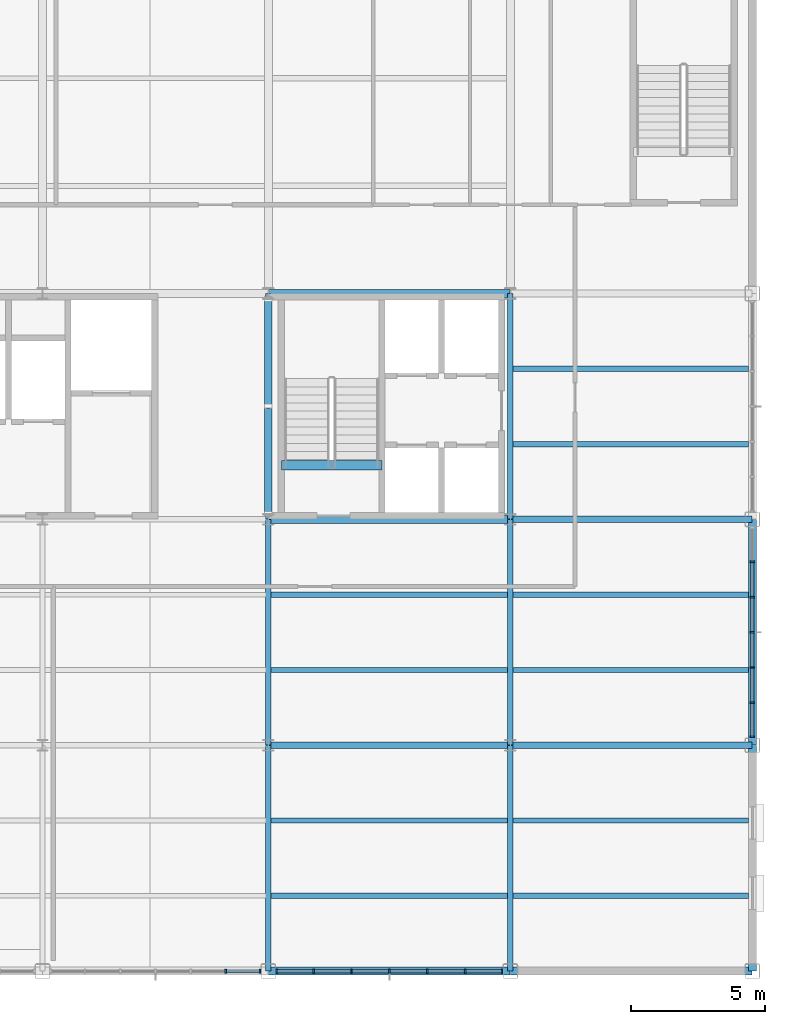
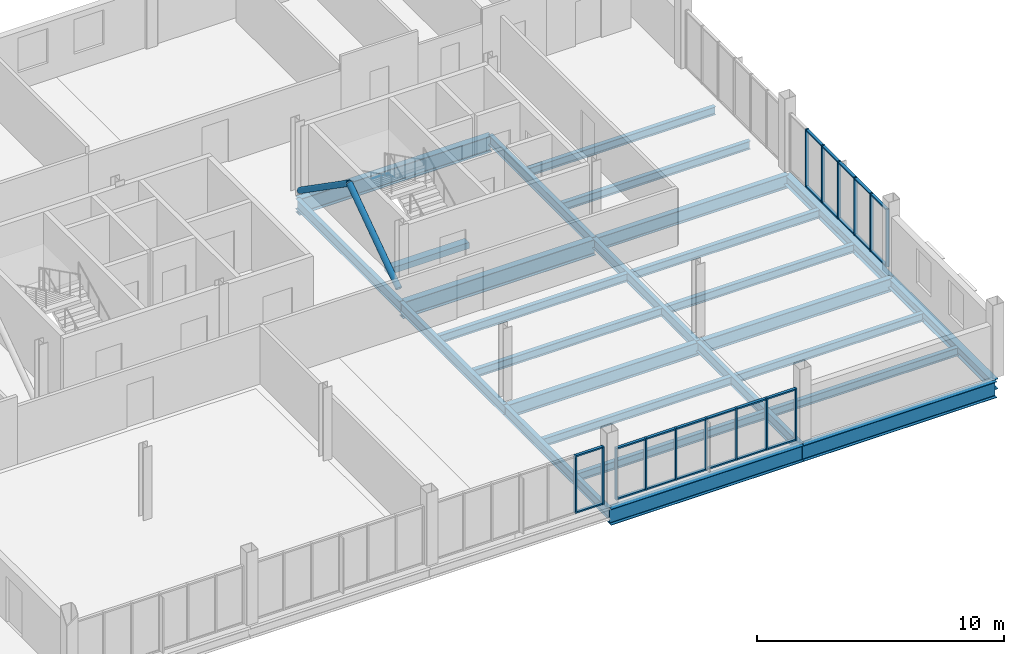
# One storey, part 7 of 18: 41 members, 26 beams, 3 elements without a shape of their own.
"""IFC4 building model written with IfcOpenShell, lengths in metres."""

from ifc_helpers import new_model, si_unit, direction, frame, origin, origin_2d, place, context, subcontext, project, spatial, rectangle, hollow_circle, i_section, extrude, material, layer, layer_set, material_profile, profile_set, type_object, element, aggregate, save


model = new_model("IFC4")

# Units and contexts
model_context = context("Model", 3, precision=1e-05, world=origin(), true_north=direction((0.0, 1.0)))
body_context = subcontext(model_context, "Body", "Model", "MODEL_VIEW")
ifc_project = project(units=[si_unit("LENGTHUNIT", "METRE"), si_unit("AREAUNIT", "SQUARE_METRE"), si_unit("VOLUMEUNIT", "CUBIC_METRE"), si_unit("PLANEANGLEUNIT", "RADIAN"), si_unit("MASSUNIT", "GRAM", prefix="KILO")], contexts=[model_context])

# Site, building, storey
site_placement = place(None, origin())
site = spatial("IfcSite", under=ifc_project, at=site_placement, CompositionType="ELEMENT")
building_placement = place(site_placement, origin())
building = spatial("IfcBuilding", under=site, at=building_placement, Name="Yukiwa Park Conservatory and Herbarium", CompositionType="ELEMENT")
storey_placement = place(building_placement, frame((0.0, 0.0, 21.0)))
storey = spatial("IfcBuildingStorey", under=building, at=storey_placement, Name="L05", CompositionType="ELEMENT", Elevation=21.0)

# Beams
ifc_material_1 = material(Name="Steel Q355D", Category="steel")
ifc_material_profile_1 = material_profile(ifc_material_1, i_section(OverallWidth=0.199951171875, OverallDepth=0.5, WebThickness=0.010009765625, FlangeThickness=0.01611328125, FilletRadius=0.02001953125, at=origin_2d()), Name="HN 500x200x10x16")
ifc_profile_set_1 = profile_set([ifc_material_profile_1], Name="Steel Q355D")
beam_type_1 = type_object("IfcBeamType", Name="BM-GRD-HN500", PredefinedType="BEAM", material=ifc_profile_set_1)
for number, where, z_axis, x_axis, name in (
    (1, (150.0, 78.006103515625, -0.550048828125), (0.0, 1.0, 0.0), (-1.0, 0.0, 0.0), "L05 grid girder Y-43"),
    (2, (150.0, 86.406005859375, -0.550048828125), (0.0, 1.0, 0.0), (-1.0, 0.0, 0.0), "L05 grid girder Y-44"),
):
    element("IfcBeam", number, at=place(storey_placement, frame(where, z_axis=z_axis, x_axis=x_axis)), inside=storey, type_object=beam_type_1, Name=name, PredefinedType="BEAM", context=body_context, shape_type="SweptSolid", body=[
        extrude(i_section(OverallWidth=0.199951171875, OverallDepth=0.5, WebThickness=0.010009765625, FlangeThickness=0.01611328125, FilletRadius=0.02001953125, at=origin_2d()), origin(), (0.0, 0.0, 1.0), 8.387939453125),
    ])
beam_1_placement = place(storey_placement, frame((150.0, 94.805908203125, -0.550048828125), z_axis=(0.0, 1.0, 0.0), x_axis=(-1.0, 0.0, 0.0)))
element("IfcBeam", 3, at=beam_1_placement, inside=storey, type_object=beam_type_1, Name="L05 grid girder Y-45", PredefinedType="BEAM", context=body_context, shape_type="SweptSolid", body=[
    extrude(i_section(OverallWidth=0.199951171875, OverallDepth=0.5, WebThickness=0.010009765625, FlangeThickness=0.01611328125, FilletRadius=0.02001953125, at=origin_2d()), origin(), (0.0, 0.0, 1.0), 8.38818359375),
])
for number, where, z_axis, x_axis, name in (
    (4, (159.0, 78.006103515625, -0.550048828125), (0.0, 1.0, 0.0), (-1.0, 0.0, 0.0), "L05 grid girder Y-47"),
    (5, (159.0, 86.406005859375, -0.550048828125), (0.0, 1.0, 0.0), (-1.0, 0.0, 0.0), "L05 grid girder Y-48"),
):
    element("IfcBeam", number, at=place(storey_placement, frame(where, z_axis=z_axis, x_axis=x_axis)), inside=storey, type_object=beam_type_1, Name=name, PredefinedType="BEAM", context=body_context, shape_type="SweptSolid", body=[
        extrude(i_section(OverallWidth=0.199951171875, OverallDepth=0.5, WebThickness=0.010009765625, FlangeThickness=0.01611328125, FilletRadius=0.02001953125, at=origin_2d()), origin(), (0.0, 0.0, 1.0), 8.387939453125),
    ])
beam_2_placement = place(storey_placement, frame((159.0, 94.805908203125, -0.550048828125), z_axis=(0.0, 1.0, 0.0), x_axis=(-1.0, 0.0, 0.0)))
element("IfcBeam", 6, at=beam_2_placement, inside=storey, type_object=beam_type_1, Name="L05 grid girder Y-49", PredefinedType="BEAM", context=body_context, shape_type="SweptSolid", body=[
    extrude(i_section(OverallWidth=0.199951171875, OverallDepth=0.5, WebThickness=0.010009765625, FlangeThickness=0.01611328125, FilletRadius=0.02001953125, at=origin_2d()), origin(), (0.0, 0.0, 1.0), 8.38818359375),
])
ifc_material_2 = material(Name="Steel Q355D", Category="steel")
ifc_material_profile_2 = material_profile(ifc_material_2, i_section(OverallWidth=0.25, OverallDepth=0.64990234375, WebThickness=0.011962890625, FlangeThickness=0.02001953125, FilletRadius=0.02392578125, at=origin_2d()), Name="HN 650x250x12x20")
ifc_profile_set_2 = profile_set([ifc_material_profile_2], Name="Steel Q355D")
beam_type_2 = type_object("IfcBeamType", Name="BM-GRD-HN650", PredefinedType="BEAM", material=ifc_profile_set_2)
for number, where, z_axis, x_axis, name in (
    (7, (150.006103515625, 86.39990234375, -0.625), (1.0, 0.0, 0.0), (0.0, 1.0, 0.0), "L05 grid beam X-10"),
    (8, (159.006103515625, 86.39990234375, -0.625), (1.0, 0.0, 0.0), (0.0, 1.0, 0.0), "L05 grid beam X-11"),
    (9, (159.006103515625, 94.800048828125, -0.625), (1.0, 0.0, 0.0), (0.0, 1.0, 0.0), "L05 grid beam X-16"),
):
    element("IfcBeam", number, at=place(storey_placement, frame(where, z_axis=z_axis, x_axis=x_axis)), inside=storey, type_object=beam_type_2, Name=name, PredefinedType="BEAM", context=body_context, shape_type="SweptSolid", body=[
        extrude(i_section(OverallWidth=0.25, OverallDepth=0.64990234375, WebThickness=0.011962890625, FlangeThickness=0.02001953125, FilletRadius=0.02392578125, at=origin_2d()), origin(), (0.0, 0.0, 1.0), 8.98779296875),
    ])
ifc_material_3 = material(Name="Steel Q355D", Category="steel")
ifc_material_profile_3 = material_profile(ifc_material_3, i_section(OverallWidth=0.199951171875, OverallDepth=0.39990234375, WebThickness=0.008056640625, FlangeThickness=0.012939453125, FilletRadius=0.01611328125, at=origin_2d()), Name="HN 400x200x8x13")
ifc_profile_set_3 = profile_set([ifc_material_profile_3], Name="Steel Q355D")
beam_type_3 = type_object("IfcBeamType", Name="BM-JST-HN400", PredefinedType="JOIST", material=ifc_profile_set_3)
for number, where, z_axis, x_axis, name in (
    (10, (150.095947265625, 80.800048828125, -0.5), (1.0, 0.0, 0.0), (0.0, 1.0, 0.0), "L05 composite floor joist 25"),
    (11, (150.095947265625, 83.60009765625, -0.5), (1.0, 0.0, 0.0), (0.0, 1.0, 0.0), "L05 composite floor joist 26"),
    (12, (150.095947265625, 89.199951171875, -0.5), (1.0, 0.0, 0.0), (0.0, 1.0, 0.0), "L05 composite floor joist 27"),
    (13, (150.095947265625, 92.0, -0.5), (1.0, 0.0, 0.0), (0.0, 1.0, 0.0), "L05 composite floor joist 28"),
):
    element("IfcBeam", number, at=place(storey_placement, frame(where, z_axis=z_axis, x_axis=x_axis)), inside=storey, type_object=beam_type_3, Name=name, PredefinedType="JOIST", context=body_context, shape_type="SweptSolid", body=[
        extrude(i_section(OverallWidth=0.199951171875, OverallDepth=0.39990234375, WebThickness=0.008056640625, FlangeThickness=0.012939453125, FilletRadius=0.01611328125, at=origin_2d()), origin(), (0.0, 0.0, 1.0), 8.80810546875),
    ])
for number, where, z_axis, x_axis, name in (
    (14, (159.095947265625, 80.800048828125, -0.5), (1.0, 0.0, 0.0), (0.0, 1.0, 0.0), "L05 composite floor joist 31"),
    (15, (159.095947265625, 83.60009765625, -0.5), (1.0, 0.0, 0.0), (0.0, 1.0, 0.0), "L05 composite floor joist 32"),
    (16, (159.095947265625, 89.199951171875, -0.5), (1.0, 0.0, 0.0), (0.0, 1.0, 0.0), "L05 composite floor joist 33"),
    (17, (159.095947265625, 92.0, -0.5), (1.0, 0.0, 0.0), (0.0, 1.0, 0.0), "L05 composite floor joist 34"),
    (18, (159.095947265625, 97.60009765625, -0.5), (1.0, 0.0, 0.0), (0.0, 1.0, 0.0), "L05 composite floor joist 35"),
    (19, (159.095947265625, 100.39990234375, -0.5), (1.0, 0.0, 0.0), (0.0, 1.0, 0.0), "L05 composite floor joist 36"),
):
    element("IfcBeam", number, at=place(storey_placement, frame(where, z_axis=z_axis, x_axis=x_axis)), inside=storey, type_object=beam_type_3, Name=name, PredefinedType="JOIST", context=body_context, shape_type="SweptSolid", body=[
        extrude(i_section(OverallWidth=0.199951171875, OverallDepth=0.39990234375, WebThickness=0.008056640625, FlangeThickness=0.012939453125, FilletRadius=0.01611328125, at=origin_2d()), origin(), (0.0, 0.0, 1.0), 8.758056640625),
    ])
ifc_material_4 = material(Name="Steel Q355D", Category="steel")
ifc_material_profile_4 = material_profile(ifc_material_4, i_section(OverallWidth=0.300048828125, OverallDepth=0.5, WebThickness=0.010986328125, FlangeThickness=0.01806640625, FilletRadius=0.02392578125, at=origin_2d()), Name="HM 500x300x11x18")
ifc_profile_set_4 = profile_set([ifc_material_profile_4], Name="Steel Q355D")
beam_type_4 = type_object("IfcBeamType", Name="BM-SPN-HN500", PredefinedType="SPANDREL", material=ifc_profile_set_4)
for number, where, z_axis, x_axis, name in (
    (20, (168.0, 78.006103515625, -0.550048828125), (0.0, 1.0, 0.0), (-1.0, 0.0, 0.0), "L05 spandrel girder Y-51"),
    (21, (168.0, 86.406005859375, -0.550048828125), (0.0, 1.0, 0.0), (-1.0, 0.0, 0.0), "L05 spandrel girder Y-52"),
):
    element("IfcBeam", number, at=place(storey_placement, frame(where, z_axis=z_axis, x_axis=x_axis)), inside=storey, type_object=beam_type_4, Name=name, PredefinedType="SPANDREL", context=body_context, shape_type="SweptSolid", body=[
        extrude(i_section(OverallWidth=0.300048828125, OverallDepth=0.5, WebThickness=0.010986328125, FlangeThickness=0.01806640625, FilletRadius=0.02392578125, at=origin_2d()), origin(), (0.0, 0.0, 1.0), 8.387939453125),
    ])
ifc_material_5 = material(Name="Steel Q355D", Category="steel")
ifc_material_profile_5 = material_profile(ifc_material_5, i_section(OverallWidth=0.300048828125, OverallDepth=0.7919921875, WebThickness=0.013916015625, FlangeThickness=0.02197265625, FilletRadius=0.028076171875, at=origin_2d()), Name="HN 792x300x14x22")
ifc_profile_set_5 = profile_set([ifc_material_profile_5], Name="Steel Q355D")
beam_type_5 = type_object("IfcBeamType", Name="BM-SPN-HN600", PredefinedType="SPANDREL", material=ifc_profile_set_5)
for number, where, z_axis, x_axis, name in (
    (22, (150.006103515625, 78.0, -0.696044921875), (1.0, 0.0, 0.0), (0.0, 1.0, 0.0), "L05 spandrel beam X-5"),
    (23, (159.006103515625, 78.0, -0.696044921875), (1.0, 0.0, 0.0), (0.0, 1.0, 0.0), "L05 spandrel beam X-6"),
    (24, (150.006103515625, 94.800048828125, -0.696044921875), (1.0, 0.0, 0.0), (0.0, 1.0, 0.0), "L05 spandrel beam X-15"),
    (25, (150.006103515625, 103.199951171875, -0.696044921875), (1.0, 0.0, 0.0), (0.0, 1.0, 0.0), "L05 spandrel beam X-20"),
):
    element("IfcBeam", number, at=place(storey_placement, frame(where, z_axis=z_axis, x_axis=x_axis)), inside=storey, type_object=beam_type_5, Name=name, PredefinedType="SPANDREL", context=body_context, shape_type="SweptSolid", body=[
        extrude(i_section(OverallWidth=0.300048828125, OverallDepth=0.7919921875, WebThickness=0.013916015625, FlangeThickness=0.02197265625, FilletRadius=0.028076171875, at=origin_2d()), origin(), (0.0, 0.0, 1.0), 8.98779296875),
    ])
ifc_material_6 = material(Name="Concrete C40", Category="concrete")
ifc_material_profile_6 = material_profile(ifc_material_6, rectangle(XDim=0.35009765625, YDim=0.300048828125, at=origin_2d()), Name="RC 350x300")
ifc_profile_set_6 = profile_set([ifc_material_profile_6], Name="Concrete C40")
beam_type_6 = type_object("IfcBeamType", Name="BM-STAIR-TRIM", PredefinedType="BEAM", material=ifc_profile_set_6)
beam_3_placement = place(storey_placement, frame((150.47998046875, 96.81005859375, -0.14990234375), z_axis=(1.0, 0.0, 0.0), x_axis=(0.0, 1.0, 0.0)))
element("IfcBeam", 26, at=beam_3_placement, inside=storey, type_object=beam_type_6, Name="Stair ST-T2 L05 landing trimmer beam", PredefinedType="BEAM", context=body_context, shape_type="SweptSolid", body=[
    extrude(rectangle(XDim=0.35009765625, YDim=0.300048828125, at=origin_2d()), origin(), (0.0, 0.0, 1.0), 3.75),
])

# Members
ifc_material_7 = material(Name="Steel Q355D", Category="steel")
ifc_material_profile_7 = material_profile(ifc_material_7, hollow_circle(Radius=0.136474609375, WallThickness=0.010009765625, at=origin_2d()), Name="CHS 273x10")
ifc_profile_set_7 = profile_set([ifc_material_profile_7], Name="Steel Q355D")
member_type_1 = type_object("IfcMemberType", Name="MB-BR-CHS273", PredefinedType="BRACE", material=ifc_profile_set_7)
for number, where, z_axis, x_axis, name in (
    (27, (150.0, 95.00537109375, 0.19287109375), (0.0, 0.820582055206, 0.571528731276), (-1.0, 0.0, 0.0), "L05 concentric chevron brace 35"),
    (28, (150.0, 102.99462890625, 0.19287109375), (0.0, -0.820582055206, 0.571528731276), (1.0, 0.0, 0.0), "L05 concentric chevron brace 36"),
):
    element("IfcMember", number, at=place(storey_placement, frame(where, z_axis=z_axis, x_axis=x_axis)), inside=storey, type_object=member_type_1, Name=name, PredefinedType="BRACE", context=body_context, shape_type="SweptSolid", body=[
        extrude(hollow_circle(Radius=0.136474609375, WallThickness=0.010009765625, at=origin_2d()), origin(), (0.0, 0.0, 1.0), 4.8681640625),
    ])

# Curtain wall, members
ifc_material_8 = material(Name="Triple Low-E Insulated Glass", Category="glass")
ifc_layer_1 = layer(ifc_material_8, 0.248046875)
ifc_layer_set_1 = layer_set([ifc_layer_1], Name="Triple Low-E Insulated Glass")
curtain_wall_type_1 = type_object("IfcCurtainWallType", Name="CW-TOWER-LAB-S-1400", PredefinedType="NOTDEFINED", material=ifc_layer_set_1)
curtain_wall_1_placement = place(storey_placement, origin())
curtain_wall_1 = element("IfcCurtainWall", 29, at=curtain_wall_1_placement, inside=storey, type_object=curtain_wall_type_1, Name="L05 unitised curtain wall CW-L05-078", PredefinedType="NOTDEFINED")
ifc_material_9 = material(Name="Anodised Aluminium", Category="aluminium")
member_type_2 = type_object("IfcMemberType", Name="MB-CW-MUL-70X150", PredefinedType="MULLION", material=ifc_material_9)
member_1_placement = place(storey_placement, frame((148.416748046875, 78.0, 0.0), z_axis=(0.0, 0.0, 1.0), x_axis=(1.0, 0.0, 0.0)))
member_1 = element("IfcMember", 30, at=member_1_placement, type_object=member_type_2, Name="CW-L05-078 mullion 6", PredefinedType="MULLION", context=body_context, shape_type="SweptSolid", body=[
    extrude(rectangle(XDim=0.070068359375, YDim=0.14990234375, at=origin_2d()), origin(), (0.0, 0.0, 1.0), 2.85009765625),
])
member_2_placement = place(storey_placement, frame((149.68994140625, 78.0, 0.0), z_axis=(0.0, 0.0, 1.0), x_axis=(1.0, 0.0, 0.0)))
member_2 = element("IfcMember", 31, at=member_2_placement, type_object=member_type_2, Name="CW-L05-078 mullion 7", PredefinedType="MULLION", context=body_context, shape_type="SweptSolid", body=[
    extrude(rectangle(XDim=0.070068359375, YDim=0.14990234375, at=origin_2d()), origin(), (0.0, 0.0, 1.0), 2.85009765625),
])

curtain_wall_2_placement = place(storey_placement, origin())
curtain_wall_2 = element("IfcCurtainWall", 32, at=curtain_wall_2_placement, inside=storey, type_object=curtain_wall_type_1, Name="L05 unitised curtain wall CW-L05-079", PredefinedType="NOTDEFINED")
member_3_placement = place(storey_placement, frame((150.31005859375, 78.0, 0.0), z_axis=(0.0, 0.0, 1.0), x_axis=(1.0, 0.0, 0.0)))
member_3 = element("IfcMember", 33, at=member_3_placement, type_object=member_type_2, Name="CW-L05-079 mullion 1", PredefinedType="MULLION", context=body_context, shape_type="SweptSolid", body=[
    extrude(rectangle(XDim=0.070068359375, YDim=0.14990234375, at=origin_2d()), origin(), (0.0, 0.0, 1.0), 2.55810546875),
])
member_4_placement = place(storey_placement, frame((151.683349609375, 78.0, 0.0), z_axis=(0.0, 0.0, 1.0), x_axis=(1.0, 0.0, 0.0)))
member_4 = element("IfcMember", 34, at=member_4_placement, type_object=member_type_2, Name="CW-L05-079 mullion 2", PredefinedType="MULLION", context=body_context, shape_type="SweptSolid", body=[
    extrude(rectangle(XDim=0.070068359375, YDim=0.14990234375, at=origin_2d()), origin(), (0.0, 0.0, 1.0), 2.55810546875),
])
member_5_placement = place(storey_placement, frame((153.091796875, 78.0, 0.0), z_axis=(0.0, 0.0, 1.0), x_axis=(1.0, 0.0, 0.0)))
member_5 = element("IfcMember", 35, at=member_5_placement, type_object=member_type_2, Name="CW-L05-079 mullion 3", PredefinedType="MULLION", context=body_context, shape_type="SweptSolid", body=[
    extrude(rectangle(XDim=0.070068359375, YDim=0.14990234375, at=origin_2d()), origin(), (0.0, 0.0, 1.0), 2.55810546875),
])
member_6_placement = place(storey_placement, frame((154.5, 78.0, 0.0), z_axis=(0.0, 0.0, 1.0), x_axis=(1.0, 0.0, 0.0)))
member_6 = element("IfcMember", 36, at=member_6_placement, type_object=member_type_2, Name="CW-L05-079 mullion 4", PredefinedType="MULLION", context=body_context, shape_type="SweptSolid", body=[
    extrude(rectangle(XDim=0.070068359375, YDim=0.14990234375, at=origin_2d()), origin(), (0.0, 0.0, 1.0), 2.55810546875),
])
member_7_placement = place(storey_placement, frame((155.908203125, 78.0, 0.0), z_axis=(0.0, 0.0, 1.0), x_axis=(1.0, 0.0, 0.0)))
member_7 = element("IfcMember", 37, at=member_7_placement, type_object=member_type_2, Name="CW-L05-079 mullion 5", PredefinedType="MULLION", context=body_context, shape_type="SweptSolid", body=[
    extrude(rectangle(XDim=0.070068359375, YDim=0.14990234375, at=origin_2d()), origin(), (0.0, 0.0, 1.0), 2.55810546875),
])
member_8_placement = place(storey_placement, frame((157.316650390625, 78.0, 0.0), z_axis=(0.0, 0.0, 1.0), x_axis=(1.0, 0.0, 0.0)))
member_8 = element("IfcMember", 38, at=member_8_placement, type_object=member_type_2, Name="CW-L05-079 mullion 6", PredefinedType="MULLION", context=body_context, shape_type="SweptSolid", body=[
    extrude(rectangle(XDim=0.070068359375, YDim=0.14990234375, at=origin_2d()), origin(), (0.0, 0.0, 1.0), 2.55810546875),
])
member_9_placement = place(storey_placement, frame((158.68994140625, 78.0, 0.0), z_axis=(0.0, 0.0, 1.0), x_axis=(1.0, 0.0, 0.0)))
member_9 = element("IfcMember", 39, at=member_9_placement, type_object=member_type_2, Name="CW-L05-079 mullion 7", PredefinedType="MULLION", context=body_context, shape_type="SweptSolid", body=[
    extrude(rectangle(XDim=0.070068359375, YDim=0.14990234375, at=origin_2d()), origin(), (0.0, 0.0, 1.0), 2.55810546875),
])

ifc_material_10 = material(Name="Triple Low-E Insulated Glass", Category="glass")
ifc_layer_2 = layer(ifc_material_10, 0.22412109375)
ifc_layer_set_2 = layer_set([ifc_layer_2], Name="Triple Low-E Insulated Glass")
curtain_wall_type_2 = type_object("IfcCurtainWallType", Name="CW-TOWER-CORNER-1400", PredefinedType="NOTDEFINED", material=ifc_layer_set_2)
curtain_wall_3_placement = place(storey_placement, origin())
curtain_wall_3 = element("IfcCurtainWall", 40, at=curtain_wall_3_placement, inside=storey, type_object=curtain_wall_type_2, Name="L05 unitised curtain wall CW-L05-080", PredefinedType="NOTDEFINED")
member_10_placement = place(storey_placement, frame((168.0, 86.7099609375, 0.0), z_axis=(0.0, 0.0, 1.0), x_axis=(0.0, 1.0, 0.0)))
member_10 = element("IfcMember", 41, at=member_10_placement, type_object=member_type_2, Name="CW-L05-080 mullion 1", PredefinedType="MULLION", context=body_context, shape_type="SweptSolid", body=[
    extrude(rectangle(XDim=0.070068359375, YDim=0.14990234375, at=origin_2d()), origin(), (0.0, 0.0, 1.0), 2.85009765625),
])
member_11_placement = place(storey_placement, frame((168.0, 87.9833984375, 0.0), z_axis=(0.0, 0.0, 1.0), x_axis=(0.0, 1.0, 0.0)))
member_11 = element("IfcMember", 42, at=member_11_placement, type_object=member_type_2, Name="CW-L05-080 mullion 2", PredefinedType="MULLION", context=body_context, shape_type="SweptSolid", body=[
    extrude(rectangle(XDim=0.070068359375, YDim=0.14990234375, at=origin_2d()), origin(), (0.0, 0.0, 1.0), 2.85009765625),
])
member_12_placement = place(storey_placement, frame((168.0, 89.291748046875, 0.0), z_axis=(0.0, 0.0, 1.0), x_axis=(0.0, 1.0, 0.0)))
member_12 = element("IfcMember", 43, at=member_12_placement, type_object=member_type_2, Name="CW-L05-080 mullion 3", PredefinedType="MULLION", context=body_context, shape_type="SweptSolid", body=[
    extrude(rectangle(XDim=0.070068359375, YDim=0.14990234375, at=origin_2d()), origin(), (0.0, 0.0, 1.0), 2.85009765625),
])
member_13_placement = place(storey_placement, frame((168.0, 90.60009765625, 0.0), z_axis=(0.0, 0.0, 1.0), x_axis=(0.0, 1.0, 0.0)))
member_13 = element("IfcMember", 44, at=member_13_placement, type_object=member_type_2, Name="CW-L05-080 mullion 4", PredefinedType="MULLION", context=body_context, shape_type="SweptSolid", body=[
    extrude(rectangle(XDim=0.070068359375, YDim=0.14990234375, at=origin_2d()), origin(), (0.0, 0.0, 1.0), 2.85009765625),
])
member_14_placement = place(storey_placement, frame((168.0, 91.908203125, 0.0), z_axis=(0.0, 0.0, 1.0), x_axis=(0.0, 1.0, 0.0)))
member_14 = element("IfcMember", 45, at=member_14_placement, type_object=member_type_2, Name="CW-L05-080 mullion 5", PredefinedType="MULLION", context=body_context, shape_type="SweptSolid", body=[
    extrude(rectangle(XDim=0.070068359375, YDim=0.14990234375, at=origin_2d()), origin(), (0.0, 0.0, 1.0), 2.85009765625),
])
member_15_placement = place(storey_placement, frame((168.0, 93.216796875, 0.0), z_axis=(0.0, 0.0, 1.0), x_axis=(0.0, 1.0, 0.0)))
member_15 = element("IfcMember", 46, at=member_15_placement, type_object=member_type_2, Name="CW-L05-080 mullion 6", PredefinedType="MULLION", context=body_context, shape_type="SweptSolid", body=[
    extrude(rectangle(XDim=0.070068359375, YDim=0.14990234375, at=origin_2d()), origin(), (0.0, 0.0, 1.0), 2.85009765625),
])

# Member
ifc_material_11 = material(Name="Anodised Aluminium", Category="aluminium")
member_type_3 = type_object("IfcMemberType", Name="MB-CW-TRN-70X130", PredefinedType="USERDEFINED", material=ifc_material_11)
member_16_placement = place(storey_placement, frame((149.07080078125, 78.0, 0.0), z_axis=(0.0, 0.0, 1.0), x_axis=(1.0, 0.0, 0.0)))
member_16 = element("IfcMember", 47, at=member_16_placement, type_object=member_type_3, Name="CW-L05-078 transom 6.1", ObjectType="TRANSOM", PredefinedType="USERDEFINED", context=body_context, shape_type="SweptSolid", body=[
    extrude(rectangle(XDim=1.23828125, YDim=0.1298828125, at=origin_2d()), origin(), (0.0, 0.0, 1.0), 0.070068359375),
])

member_17_placement = place(storey_placement, frame((149.07080078125, 78.0, 2.77978515625), z_axis=(0.0, 0.0, 1.0), x_axis=(1.0, 0.0, 0.0)))
member_17 = element("IfcMember", 48, at=member_17_placement, type_object=member_type_3, Name="CW-L05-078 transom 6.2", ObjectType="TRANSOM", PredefinedType="USERDEFINED", context=body_context, shape_type="SweptSolid", body=[
    extrude(rectangle(XDim=1.23828125, YDim=0.1298828125, at=origin_2d()), origin(), (0.0, 0.0, 1.0), 0.070068359375),
])

aggregate(curtain_wall_1, [member_1, member_2, member_16, member_17])

member_18_placement = place(storey_placement, frame((150.979248046875, 78.0, 0.0), z_axis=(0.0, 0.0, 1.0), x_axis=(1.0, 0.0, 0.0)))
member_18 = element("IfcMember", 49, at=member_18_placement, type_object=member_type_3, Name="CW-L05-079 transom 1.1", ObjectType="TRANSOM", PredefinedType="USERDEFINED", context=body_context, shape_type="SweptSolid", body=[
    extrude(rectangle(XDim=1.33837890625, YDim=0.1298828125, at=origin_2d()), origin(), (0.0, 0.0, 1.0), 0.070068359375),
])

member_19_placement = place(storey_placement, frame((150.979248046875, 78.0, 2.48779296875), z_axis=(0.0, 0.0, 1.0), x_axis=(1.0, 0.0, 0.0)))
member_19 = element("IfcMember", 50, at=member_19_placement, type_object=member_type_3, Name="CW-L05-079 transom 1.2", ObjectType="TRANSOM", PredefinedType="USERDEFINED", context=body_context, shape_type="SweptSolid", body=[
    extrude(rectangle(XDim=1.33837890625, YDim=0.1298828125, at=origin_2d()), origin(), (0.0, 0.0, 1.0), 0.070068359375),
])

member_20_placement = place(storey_placement, frame((152.387451171875, 78.0, 0.0), z_axis=(0.0, 0.0, 1.0), x_axis=(1.0, 0.0, 0.0)))
member_20 = element("IfcMember", 51, at=member_20_placement, type_object=member_type_3, Name="CW-L05-079 transom 2.1", ObjectType="TRANSOM", PredefinedType="USERDEFINED", context=body_context, shape_type="SweptSolid", body=[
    extrude(rectangle(XDim=1.33837890625, YDim=0.1298828125, at=origin_2d()), origin(), (0.0, 0.0, 1.0), 0.070068359375),
])

member_21_placement = place(storey_placement, frame((152.387451171875, 78.0, 2.48779296875), z_axis=(0.0, 0.0, 1.0), x_axis=(1.0, 0.0, 0.0)))
member_21 = element("IfcMember", 52, at=member_21_placement, type_object=member_type_3, Name="CW-L05-079 transom 2.2", ObjectType="TRANSOM", PredefinedType="USERDEFINED", context=body_context, shape_type="SweptSolid", body=[
    extrude(rectangle(XDim=1.33837890625, YDim=0.1298828125, at=origin_2d()), origin(), (0.0, 0.0, 1.0), 0.070068359375),
])

member_22_placement = place(storey_placement, frame((153.7958984375, 78.0, 0.0), z_axis=(0.0, 0.0, 1.0), x_axis=(1.0, 0.0, 0.0)))
member_22 = element("IfcMember", 53, at=member_22_placement, type_object=member_type_3, Name="CW-L05-079 transom 3.1", ObjectType="TRANSOM", PredefinedType="USERDEFINED", context=body_context, shape_type="SweptSolid", body=[
    extrude(rectangle(XDim=1.33837890625, YDim=0.1298828125, at=origin_2d()), origin(), (0.0, 0.0, 1.0), 0.070068359375),
])

member_23_placement = place(storey_placement, frame((153.7958984375, 78.0, 2.48779296875), z_axis=(0.0, 0.0, 1.0), x_axis=(1.0, 0.0, 0.0)))
member_23 = element("IfcMember", 54, at=member_23_placement, type_object=member_type_3, Name="CW-L05-079 transom 3.2", ObjectType="TRANSOM", PredefinedType="USERDEFINED", context=body_context, shape_type="SweptSolid", body=[
    extrude(rectangle(XDim=1.33837890625, YDim=0.1298828125, at=origin_2d()), origin(), (0.0, 0.0, 1.0), 0.070068359375),
])

member_24_placement = place(storey_placement, frame((155.2041015625, 78.0, 0.0), z_axis=(0.0, 0.0, 1.0), x_axis=(1.0, 0.0, 0.0)))
member_24 = element("IfcMember", 55, at=member_24_placement, type_object=member_type_3, Name="CW-L05-079 transom 4.1", ObjectType="TRANSOM", PredefinedType="USERDEFINED", context=body_context, shape_type="SweptSolid", body=[
    extrude(rectangle(XDim=1.33837890625, YDim=0.1298828125, at=origin_2d()), origin(), (0.0, 0.0, 1.0), 0.070068359375),
])

member_25_placement = place(storey_placement, frame((155.2041015625, 78.0, 2.48779296875), z_axis=(0.0, 0.0, 1.0), x_axis=(1.0, 0.0, 0.0)))
member_25 = element("IfcMember", 56, at=member_25_placement, type_object=member_type_3, Name="CW-L05-079 transom 4.2", ObjectType="TRANSOM", PredefinedType="USERDEFINED", context=body_context, shape_type="SweptSolid", body=[
    extrude(rectangle(XDim=1.33837890625, YDim=0.1298828125, at=origin_2d()), origin(), (0.0, 0.0, 1.0), 0.070068359375),
])

member_26_placement = place(storey_placement, frame((156.612548828125, 78.0, 0.0), z_axis=(0.0, 0.0, 1.0), x_axis=(1.0, 0.0, 0.0)))
member_26 = element("IfcMember", 57, at=member_26_placement, type_object=member_type_3, Name="CW-L05-079 transom 5.1", ObjectType="TRANSOM", PredefinedType="USERDEFINED", context=body_context, shape_type="SweptSolid", body=[
    extrude(rectangle(XDim=1.33837890625, YDim=0.1298828125, at=origin_2d()), origin(), (0.0, 0.0, 1.0), 0.070068359375),
])

member_27_placement = place(storey_placement, frame((156.612548828125, 78.0, 2.48779296875), z_axis=(0.0, 0.0, 1.0), x_axis=(1.0, 0.0, 0.0)))
member_27 = element("IfcMember", 58, at=member_27_placement, type_object=member_type_3, Name="CW-L05-079 transom 5.2", ObjectType="TRANSOM", PredefinedType="USERDEFINED", context=body_context, shape_type="SweptSolid", body=[
    extrude(rectangle(XDim=1.33837890625, YDim=0.1298828125, at=origin_2d()), origin(), (0.0, 0.0, 1.0), 0.070068359375),
])

member_28_placement = place(storey_placement, frame((158.020751953125, 78.0, 0.0), z_axis=(0.0, 0.0, 1.0), x_axis=(1.0, 0.0, 0.0)))
member_28 = element("IfcMember", 59, at=member_28_placement, type_object=member_type_3, Name="CW-L05-079 transom 6.1", ObjectType="TRANSOM", PredefinedType="USERDEFINED", context=body_context, shape_type="SweptSolid", body=[
    extrude(rectangle(XDim=1.33837890625, YDim=0.1298828125, at=origin_2d()), origin(), (0.0, 0.0, 1.0), 0.070068359375),
])

member_29_placement = place(storey_placement, frame((158.020751953125, 78.0, 2.48779296875), z_axis=(0.0, 0.0, 1.0), x_axis=(1.0, 0.0, 0.0)))
member_29 = element("IfcMember", 60, at=member_29_placement, type_object=member_type_3, Name="CW-L05-079 transom 6.2", ObjectType="TRANSOM", PredefinedType="USERDEFINED", context=body_context, shape_type="SweptSolid", body=[
    extrude(rectangle(XDim=1.33837890625, YDim=0.1298828125, at=origin_2d()), origin(), (0.0, 0.0, 1.0), 0.070068359375),
])

aggregate(curtain_wall_2, [member_3, member_4, member_5, member_6, member_7, member_8, member_9, member_18, member_19, member_20, member_21, member_22, member_23, member_24, member_25, member_26, member_27, member_28, member_29])

member_30_placement = place(storey_placement, frame((168.0, 87.3291015625, 0.0), z_axis=(0.0, 0.0, 1.0), x_axis=(0.0, 1.0, 0.0)))
member_30 = element("IfcMember", 61, at=member_30_placement, type_object=member_type_3, Name="CW-L05-080 transom 1.1", ObjectType="TRANSOM", PredefinedType="USERDEFINED", context=body_context, shape_type="SweptSolid", body=[
    extrude(rectangle(XDim=1.23828125, YDim=0.1298828125, at=origin_2d()), origin(), (0.0, 0.0, 1.0), 0.070068359375),
])

member_31_placement = place(storey_placement, frame((168.0, 87.3291015625, 2.77978515625), z_axis=(0.0, 0.0, 1.0), x_axis=(0.0, 1.0, 0.0)))
member_31 = element("IfcMember", 62, at=member_31_placement, type_object=member_type_3, Name="CW-L05-080 transom 1.2", ObjectType="TRANSOM", PredefinedType="USERDEFINED", context=body_context, shape_type="SweptSolid", body=[
    extrude(rectangle(XDim=1.23828125, YDim=0.1298828125, at=origin_2d()), origin(), (0.0, 0.0, 1.0), 0.070068359375),
])

member_32_placement = place(storey_placement, frame((168.0, 88.637451171875, 0.0), z_axis=(0.0, 0.0, 1.0), x_axis=(0.0, 1.0, 0.0)))
member_32 = element("IfcMember", 63, at=member_32_placement, type_object=member_type_3, Name="CW-L05-080 transom 2.1", ObjectType="TRANSOM", PredefinedType="USERDEFINED", context=body_context, shape_type="SweptSolid", body=[
    extrude(rectangle(XDim=1.23828125, YDim=0.1298828125, at=origin_2d()), origin(), (0.0, 0.0, 1.0), 0.070068359375),
])

member_33_placement = place(storey_placement, frame((168.0, 88.637451171875, 2.77978515625), z_axis=(0.0, 0.0, 1.0), x_axis=(0.0, 1.0, 0.0)))
member_33 = element("IfcMember", 64, at=member_33_placement, type_object=member_type_3, Name="CW-L05-080 transom 2.2", ObjectType="TRANSOM", PredefinedType="USERDEFINED", context=body_context, shape_type="SweptSolid", body=[
    extrude(rectangle(XDim=1.23828125, YDim=0.1298828125, at=origin_2d()), origin(), (0.0, 0.0, 1.0), 0.070068359375),
])

member_34_placement = place(storey_placement, frame((168.0, 89.94580078125, 0.0), z_axis=(0.0, 0.0, 1.0), x_axis=(0.0, 1.0, 0.0)))
member_34 = element("IfcMember", 65, at=member_34_placement, type_object=member_type_3, Name="CW-L05-080 transom 3.1", ObjectType="TRANSOM", PredefinedType="USERDEFINED", context=body_context, shape_type="SweptSolid", body=[
    extrude(rectangle(XDim=1.23828125, YDim=0.1298828125, at=origin_2d()), origin(), (0.0, 0.0, 1.0), 0.070068359375),
])

member_35_placement = place(storey_placement, frame((168.0, 89.94580078125, 2.77978515625), z_axis=(0.0, 0.0, 1.0), x_axis=(0.0, 1.0, 0.0)))
member_35 = element("IfcMember", 66, at=member_35_placement, type_object=member_type_3, Name="CW-L05-080 transom 3.2", ObjectType="TRANSOM", PredefinedType="USERDEFINED", context=body_context, shape_type="SweptSolid", body=[
    extrude(rectangle(XDim=1.23828125, YDim=0.1298828125, at=origin_2d()), origin(), (0.0, 0.0, 1.0), 0.070068359375),
])

member_36_placement = place(storey_placement, frame((168.0, 91.254150390625, 0.0), z_axis=(0.0, 0.0, 1.0), x_axis=(0.0, 1.0, 0.0)))
member_36 = element("IfcMember", 67, at=member_36_placement, type_object=member_type_3, Name="CW-L05-080 transom 4.1", ObjectType="TRANSOM", PredefinedType="USERDEFINED", context=body_context, shape_type="SweptSolid", body=[
    extrude(rectangle(XDim=1.23828125, YDim=0.1298828125, at=origin_2d()), origin(), (0.0, 0.0, 1.0), 0.070068359375),
])

member_37_placement = place(storey_placement, frame((168.0, 91.254150390625, 2.77978515625), z_axis=(0.0, 0.0, 1.0), x_axis=(0.0, 1.0, 0.0)))
member_37 = element("IfcMember", 68, at=member_37_placement, type_object=member_type_3, Name="CW-L05-080 transom 4.2", ObjectType="TRANSOM", PredefinedType="USERDEFINED", context=body_context, shape_type="SweptSolid", body=[
    extrude(rectangle(XDim=1.23828125, YDim=0.1298828125, at=origin_2d()), origin(), (0.0, 0.0, 1.0), 0.070068359375),
])

member_38_placement = place(storey_placement, frame((168.0, 92.5625, 0.0), z_axis=(0.0, 0.0, 1.0), x_axis=(0.0, 1.0, 0.0)))
member_38 = element("IfcMember", 69, at=member_38_placement, type_object=member_type_3, Name="CW-L05-080 transom 5.1", ObjectType="TRANSOM", PredefinedType="USERDEFINED", context=body_context, shape_type="SweptSolid", body=[
    extrude(rectangle(XDim=1.23828125, YDim=0.1298828125, at=origin_2d()), origin(), (0.0, 0.0, 1.0), 0.070068359375),
])

member_39_placement = place(storey_placement, frame((168.0, 92.5625, 2.77978515625), z_axis=(0.0, 0.0, 1.0), x_axis=(0.0, 1.0, 0.0)))
member_39 = element("IfcMember", 70, at=member_39_placement, type_object=member_type_3, Name="CW-L05-080 transom 5.2", ObjectType="TRANSOM", PredefinedType="USERDEFINED", context=body_context, shape_type="SweptSolid", body=[
    extrude(rectangle(XDim=1.23828125, YDim=0.1298828125, at=origin_2d()), origin(), (0.0, 0.0, 1.0), 0.070068359375),
])

aggregate(curtain_wall_3, [member_10, member_11, member_12, member_13, member_14, member_15, member_30, member_31, member_32, member_33, member_34, member_35, member_36, member_37, member_38, member_39])

save(model, "model.ifc")
